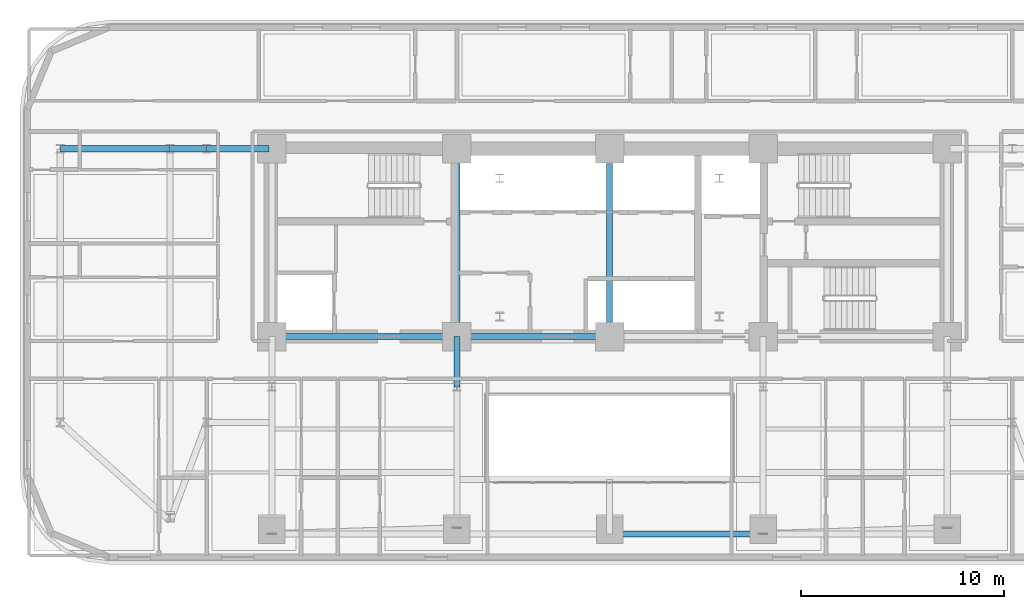
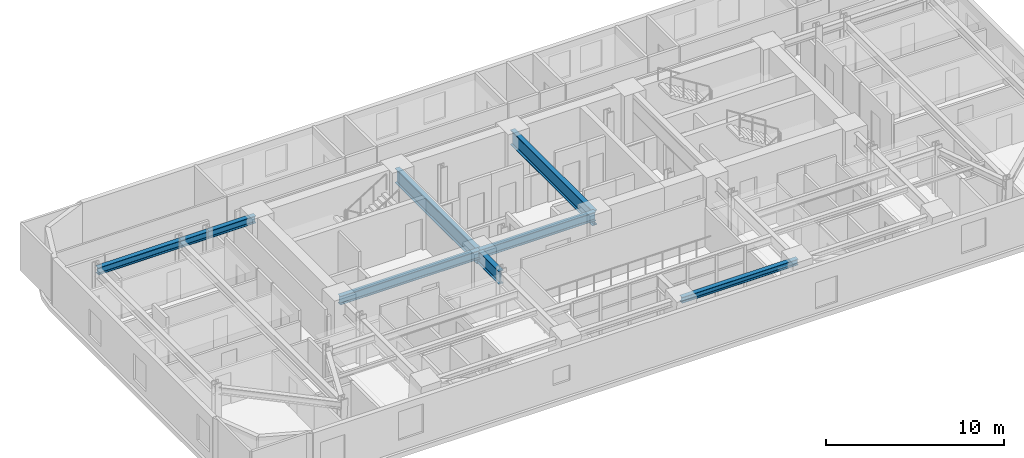
# One storey, part 4 of 16: 9 beams.
"""IFC4 building model written with IfcOpenShell, lengths in metres."""

from ifc_helpers import new_model, si_unit, direction, frame, origin, origin_2d, place, context, subcontext, project, spatial, i_section, extrude, material, material_profile, profile_set, type_object, element, save


model = new_model("IFC4")

# Units and contexts
model_context = context("Model", 3, precision=1e-05, world=origin(), true_north=direction((0.0, 1.0)))
body_context = subcontext(model_context, "Body", "Model", "MODEL_VIEW")
ifc_project = project(units=[si_unit("LENGTHUNIT", "METRE"), si_unit("AREAUNIT", "SQUARE_METRE"), si_unit("VOLUMEUNIT", "CUBIC_METRE"), si_unit("PLANEANGLEUNIT", "RADIAN"), si_unit("MASSUNIT", "GRAM", prefix="KILO")], contexts=[model_context])

# Site, building, storey
site_placement = place(None, origin())
site = spatial("IfcSite", under=ifc_project, at=site_placement, CompositionType="ELEMENT")
building_placement = place(site_placement, origin())
building = spatial("IfcBuilding", under=site, at=building_placement, Name="Zarnavel Station Tower", CompositionType="ELEMENT")
storey_placement = place(building_placement, frame((0.0, 0.0, 86.300048828125)))
storey = spatial("IfcBuildingStorey", under=building, at=storey_placement, Name="L23", CompositionType="ELEMENT", Elevation=86.300048828125)

# Beams
ifc_material_1 = material(Name="Steel S355J2", Category="steel")
ifc_material_profile_1 = material_profile(ifc_material_1, i_section(OverallWidth=0.300048828125, OverallDepth=0.39990234375, WebThickness=0.013427734375, FlangeThickness=0.02392578125, FilletRadius=0.027099609375, at=origin_2d()), Name="HEB400")
ifc_profile_set_1 = profile_set([ifc_material_profile_1], Name="Steel S355J2")
beam_type_1 = type_object("IfcBeamType", Name="EB_HEB400", PredefinedType="SPANDREL", material=ifc_profile_set_1)
beam_1_placement = place(storey_placement, frame((28.800048828125, 18.114013671875, 3.0400390625), z_axis=(1.0, 0.0, 0.0), x_axis=(0.0, 1.0, 0.0)))
element("IfcBeam", 1, at=beam_1_placement, inside=storey, type_object=beam_type_1, Name="L23 South Raked Spandrel 3", PredefinedType="SPANDREL", context=body_context, shape_type="SweptSolid", body=[
    extrude(i_section(OverallWidth=0.300048828125, OverallDepth=0.39990234375, WebThickness=0.013427734375, FlangeThickness=0.02392578125, FilletRadius=0.027099609375, at=origin_2d()), origin(), (0.0, 0.0, 1.0), 7.550048828125),
])
ifc_material_2 = material(Name="Steel S355J2", Category="steel")
ifc_material_profile_2 = material_profile(ifc_material_2, i_section(OverallWidth=0.300048828125, OverallDepth=0.5, WebThickness=0.014404296875, FlangeThickness=0.028076171875, FilletRadius=0.027099609375, at=origin_2d()), Name="HEB500")
ifc_profile_set_2 = profile_set([ifc_material_profile_2], Name="Steel S355J2")
beam_type_2 = type_object("IfcBeamType", Name="FG_HEB500", PredefinedType="USERDEFINED", material=ifc_profile_set_2)
beam_2_placement = place(storey_placement, frame((1.800048828125, 37.050048828125, 2.989990234375), z_axis=(1.0, 0.0, 0.0), x_axis=(0.0, 1.0, 0.0)))
element("IfcBeam", 2, at=beam_2_placement, inside=storey, type_object=beam_type_2, Name="L23 West Wing North Tie 1", ObjectType="GIRDER", PredefinedType="USERDEFINED", context=body_context, shape_type="SweptSolid", body=[
    extrude(i_section(OverallWidth=0.300048828125, OverallDepth=0.5, WebThickness=0.014404296875, FlangeThickness=0.028076171875, FilletRadius=0.027099609375, at=origin_2d()), origin(), (0.0, 0.0, 1.0), 5.39990234375),
])
beam_3_placement = place(storey_placement, frame((7.199951171875, 37.050048828125, 2.989990234375), z_axis=(1.0, 0.0, 0.0), x_axis=(0.0, 1.0, 0.0)))
element("IfcBeam", 3, at=beam_3_placement, inside=storey, type_object=beam_type_2, Name="L23 West Wing North Tie 2", ObjectType="GIRDER", PredefinedType="USERDEFINED", context=body_context, shape_type="SweptSolid", body=[
    extrude(i_section(OverallWidth=0.300048828125, OverallDepth=0.5, WebThickness=0.014404296875, FlangeThickness=0.028076171875, FilletRadius=0.027099609375, at=origin_2d()), origin(), (0.0, 0.0, 1.0), 1.800048828125),
])
beam_4_placement = place(storey_placement, frame((9.0, 37.050048828125, 2.989990234375), z_axis=(1.0, 0.0, 0.0), x_axis=(0.0, 1.0, 0.0)))
element("IfcBeam", 4, at=beam_4_placement, inside=storey, type_object=beam_type_2, Name="L23 West Wing North Tie 3", ObjectType="GIRDER", PredefinedType="USERDEFINED", context=body_context, shape_type="SweptSolid", body=[
    extrude(i_section(OverallWidth=0.300048828125, OverallDepth=0.5, WebThickness=0.014404296875, FlangeThickness=0.028076171875, FilletRadius=0.027099609375, at=origin_2d()), origin(), (0.0, 0.0, 1.0), 3.054931640625),
])
ifc_material_3 = material(Name="Steel S355J2", Category="steel")
ifc_material_profile_3 = material_profile(ifc_material_3, i_section(OverallWidth=0.300048828125, OverallDepth=0.60009765625, WebThickness=0.015380859375, FlangeThickness=0.030029296875, FilletRadius=0.027099609375, at=origin_2d()), Name="HEB600")
ifc_profile_set_3 = profile_set([ifc_material_profile_3], Name="Steel S355J2")
beam_type_3 = type_object("IfcBeamType", Name="FG_HEB600", PredefinedType="USERDEFINED", material=ifc_profile_set_3)
beam_5_placement = place(storey_placement, frame((12.199951171875, 27.820068359375, 2.93994140625), z_axis=(1.0, 0.0, 0.0), x_axis=(0.0, 1.0, 0.0)))
element("IfcBeam", 5, at=beam_5_placement, inside=storey, type_object=beam_type_3, Name="L23 Core Front Coupling Beam 1", ObjectType="GIRDER", PredefinedType="USERDEFINED", context=body_context, shape_type="SweptSolid", body=[
    extrude(i_section(OverallWidth=0.300048828125, OverallDepth=0.60009765625, WebThickness=0.015380859375, FlangeThickness=0.030029296875, FilletRadius=0.027099609375, at=origin_2d()), origin(), (0.0, 0.0, 1.0), 9.10009765625),
])
beam_6_placement = place(storey_placement, frame((21.300048828125, 27.820068359375, 2.93994140625), z_axis=(1.0, 0.0, 0.0), x_axis=(0.0, 1.0, 0.0)))
element("IfcBeam", 6, at=beam_6_placement, inside=storey, type_object=beam_type_3, Name="L23 Core Front Coupling Beam 2", ObjectType="GIRDER", PredefinedType="USERDEFINED", context=body_context, shape_type="SweptSolid", body=[
    extrude(i_section(OverallWidth=0.300048828125, OverallDepth=0.60009765625, WebThickness=0.015380859375, FlangeThickness=0.030029296875, FilletRadius=0.027099609375, at=origin_2d()), origin(), (0.0, 0.0, 1.0), 7.5),
])
ifc_material_4 = material(Name="Steel S460M", Category="steel")
ifc_material_profile_4 = material_profile(ifc_material_4, i_section(OverallWidth=0.302001953125, OverallDepth=1.008056640625, WebThickness=0.02099609375, FlangeThickness=0.0400390625, FilletRadius=0.030029296875, at=origin_2d()), Name="HEM1000")
ifc_profile_set_4 = profile_set([ifc_material_profile_4], Name="Steel S460M")
beam_type_4 = type_object("IfcBeamType", Name="TG_HEM1000", PredefinedType="USERDEFINED", material=ifc_profile_set_4)
for number, where, z_axis, x_axis, name in (
    (7, (21.300048828125, 27.820068359375, 2.73583984375), (0.0, 1.0, 0.0), (-1.0, 0.0, 0.0), "L23 Core Spine Coupling Girder 2"),
    (8, (28.800048828125, 27.820068359375, 2.73583984375), (0.0, 1.0, 0.0), (-1.0, 0.0, 0.0), "L23 Core Spine Coupling Girder 3"),
):
    element("IfcBeam", number, at=place(storey_placement, frame(where, z_axis=z_axis, x_axis=x_axis)), inside=storey, type_object=beam_type_4, Name=name, ObjectType="GIRDER", PredefinedType="USERDEFINED", context=body_context, shape_type="SweptSolid", body=[
        extrude(i_section(OverallWidth=0.302001953125, OverallDepth=1.008056640625, WebThickness=0.02099609375, FlangeThickness=0.0400390625, FilletRadius=0.030029296875, at=origin_2d()), origin(), (0.0, 0.0, 1.0), 9.22998046875),
    ])
ifc_material_5 = material(Name="Steel S460M", Category="steel")
ifc_material_profile_5 = material_profile(ifc_material_5, i_section(OverallWidth=0.302001953125, OverallDepth=0.909912109375, WebThickness=0.02099609375, FlangeThickness=0.0400390625, FilletRadius=0.030029296875, at=origin_2d()), Name="HEM900")
ifc_profile_set_5 = profile_set([ifc_material_profile_5], Name="Steel S460M")
beam_type_5 = type_object("IfcBeamType", Name="TG_HEM900", PredefinedType="USERDEFINED", material=ifc_profile_set_5)
beam_7_placement = place(storey_placement, frame((21.300048828125, 25.35009765625, 2.784912109375), z_axis=(0.0, 1.0, 0.0), x_axis=(-1.0, 0.0, 0.0)))
element("IfcBeam", 9, at=beam_7_placement, inside=storey, type_object=beam_type_5, Name="L23 Inner-Zone NS Girder 2", ObjectType="GIRDER", PredefinedType="USERDEFINED", context=body_context, shape_type="SweptSolid", body=[
    extrude(i_section(OverallWidth=0.302001953125, OverallDepth=0.909912109375, WebThickness=0.02099609375, FlangeThickness=0.0400390625, FilletRadius=0.030029296875, at=origin_2d()), origin(), (0.0, 0.0, 1.0), 2.469970703125),
])

save(model, "model.ifc")
